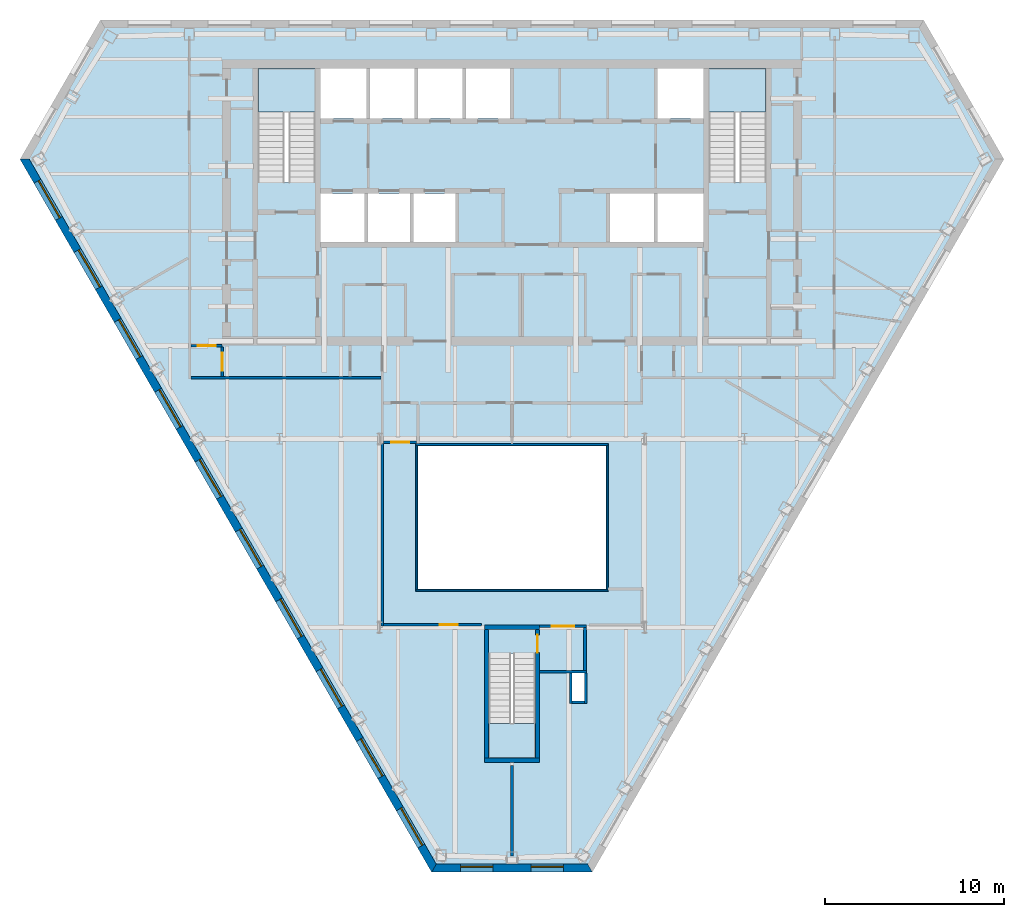
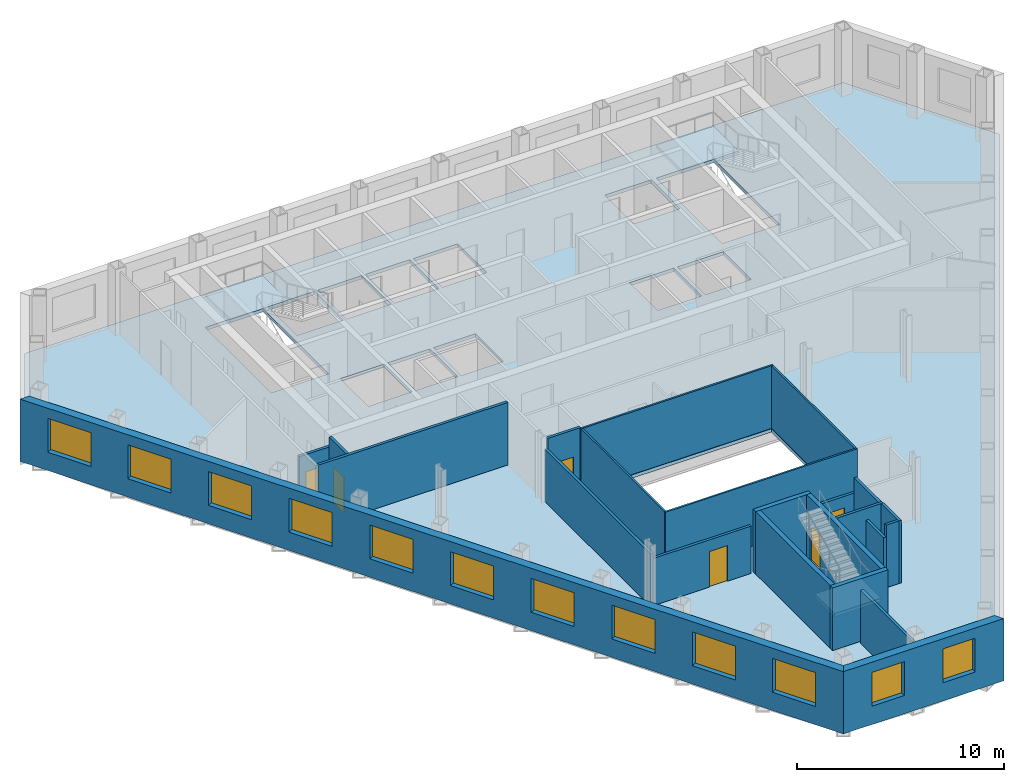
# One storey, part 4 of 11: 23 walls, 12 windows, 6 doors, 4 slabs, 18 openings, 3 elements without a shape of their own.
"""IFC4 building model written with IfcOpenShell, lengths in metres."""

from ifc_helpers import new_model, si_unit, direction, frame, frame_2d, origin, place, context, subcontext, project, spatial, polyline, rectangle, outline, extrude, material, layer, layer_set, type_object, element, fill, aggregate, save


model = new_model("IFC4")

# Units and contexts
model_context = context("Model", 3, precision=1e-05, world=origin(), true_north=direction((0.0, 1.0)))
body_context = subcontext(model_context, "Body", "Model", "MODEL_VIEW")
ifc_project = project(units=[si_unit("LENGTHUNIT", "METRE"), si_unit("AREAUNIT", "SQUARE_METRE"), si_unit("VOLUMEUNIT", "CUBIC_METRE"), si_unit("PLANEANGLEUNIT", "RADIAN"), si_unit("MASSUNIT", "GRAM", prefix="KILO")], contexts=[model_context])

# Site, building, storey
site_placement = place(None, origin())
site = spatial("IfcSite", under=ifc_project, at=site_placement, CompositionType="ELEMENT")
building_placement = place(site_placement, origin())
building = spatial("IfcBuilding", under=site, at=building_placement, Name="Njiva Tower", CompositionType="ELEMENT")
storey_placement = place(building_placement, frame((0.0, 0.0, 139.8)))
storey = spatial("IfcBuildingStorey", under=building, at=storey_placement, Name="L29", CompositionType="ELEMENT", Elevation=139.8)

# Stair, slab
ifc_material_1 = material(Name="Concrete C40/50", Category="concrete")
stair_type_1 = type_object("IfcStairType", Name="ST4 Exit stair 1500", PredefinedType="HALF_TURN_STAIR", material=ifc_material_1)
stair_1_placement = place(storey_placement, origin())
stair_1 = element("IfcStair", 1, at=stair_1_placement, inside=storey, type_object=stair_type_1, Name="Stair A", PredefinedType="HALF_TURN_STAIR")
ifc_layer_1 = layer(ifc_material_1, 0.2)
ifc_layer_set_1 = layer_set([ifc_layer_1], Name="Concrete C40/50")
slab_type_1 = type_object("IfcSlabType", Name="FL9 Stair landing 200", PredefinedType="LANDING", material=ifc_layer_set_1)
slab_1_placement = place(storey_placement, frame((0.0, 0.0, 1.75)))
slab_1 = element("IfcSlab", 2, at=slab_1_placement, type_object=slab_type_1, Name="ST-A landing 1", PredefinedType="LANDING", context=body_context, shape_type="SweptSolid", body=[
    extrude(outline(polyline([(-14.206, 15.06), (-10.994, 15.06), (-10.994, 17.5), (-14.206, 17.5), (-14.206, 15.06)])), origin(), (0.0, 0.0, 1.0), 0.2),
])
aggregate(stair_1, [slab_1])

stair_2_placement = place(storey_placement, origin())
stair_2 = element("IfcStair", 3, at=stair_2_placement, inside=storey, type_object=stair_type_1, Name="Stair B", PredefinedType="HALF_TURN_STAIR")
slab_2_placement = place(storey_placement, frame((0.0, 0.0, 1.75)))
slab_2 = element("IfcSlab", 4, at=slab_2_placement, type_object=slab_type_1, Name="ST-B landing 1", PredefinedType="LANDING", context=body_context, shape_type="SweptSolid", body=[
    extrude(outline(polyline([(10.994, 15.06), (14.206, 15.06), (14.206, 17.5), (10.994, 17.5), (10.994, 15.06)])), origin(), (0.0, 0.0, 1.0), 0.2),
])
aggregate(stair_2, [slab_2])

stair_type_2 = type_object("IfcStairType", Name="ST1 Exit stair 1250", PredefinedType="HALF_TURN_STAIR", material=ifc_material_1)
stair_3_placement = place(storey_placement, origin())
stair_3 = element("IfcStair", 5, at=stair_3_placement, inside=storey, type_object=stair_type_2, Name="Stair C", PredefinedType="HALF_TURN_STAIR")
slab_3_placement = place(storey_placement, frame((0.0, 0.0, 1.75)))
slab_3 = element("IfcSlab", 6, at=slab_3_placement, type_object=slab_type_1, Name="ST-C landing 1", PredefinedType="LANDING", context=body_context, shape_type="SweptSolid", body=[
    extrude(outline(polyline([(-1.306, -21.05), (1.306, -21.05), (1.306, -19.12), (-1.306, -19.12), (-1.306, -21.05)])), origin(), (0.0, 0.0, 1.0), 0.2),
])
aggregate(stair_3, [slab_3])

# Slab
ifc_material_2 = material(Name="Concrete C30/37", Category="concrete")
ifc_layer_2 = layer(ifc_material_2, 0.2)
ifc_layer_set_2 = layer_set([ifc_layer_2], Name="Concrete C30/37")
slab_type_2 = type_object("IfcSlabType", Name="SL16 Composite floor slab 200", PredefinedType="FLOOR", material=ifc_layer_set_2)
slab_4_placement = place(storey_placement, frame((0.0, 0.0, -0.2)))
element("IfcSlab", 7, at=slab_4_placement, inside=storey, type_object=slab_type_2, Name="Floor slab L29", PredefinedType="FLOOR", context=body_context, shape_type="SweptSolid", body=[
    extrude(outline(polyline([(27.2352, 12.4231), (4.3601, -27.1977), (-4.3601, -27.1977), (-27.2352, 12.4231), (-22.8751, 19.975), (22.8751, 19.975), (27.2352, 12.4231)]), holes=[polyline([(10.994, 11.13), (14.206, 11.13), (14.206, 17.5), (10.994, 17.5), (10.994, 11.13)]), polyline([(8.125, 14.7), (10.7, 14.7), (10.7, 17.5), (8.125, 17.5), (8.125, 14.7)]), polyline([(8.1333, 7.8), (10.7, 7.8), (10.7, 10.5), (8.1333, 10.5), (8.1333, 7.8)]), polyline([(5.4667, 7.8), (7.9333, 7.8), (7.9333, 10.5), (5.4667, 10.5), (5.4667, 7.8)]), polyline([(5.25, -11.6), (5.25, -3.6), (-5.25, -3.6), (-5.25, -11.6), (5.25, -11.6)]), polyline([(3.35, -17.85), (4.05, -17.85), (4.05, -16.3), (3.35, -16.3), (3.35, -17.85)]), polyline([(-1.306, -21.05), (1.306, -21.05), (1.306, -15.19), (-1.306, -15.19), (-1.306, -21.05)]), polyline([(-2.575, 14.7), (-0.1, 14.7), (-0.1, 17.5), (-2.575, 17.5), (-2.575, 14.7)]), polyline([(-5.25, 14.7), (-2.775, 14.7), (-2.775, 17.5), (-5.25, 17.5), (-5.25, 14.7)]), polyline([(-5.5, 7.8), (-3.15, 7.8), (-3.15, 10.5), (-5.5, 10.5), (-5.5, 7.8)]), polyline([(-7.925, 14.7), (-5.45, 14.7), (-5.45, 17.5), (-7.925, 17.5), (-7.925, 14.7)]), polyline([(-8.05, 7.8), (-5.7, 7.8), (-5.7, 10.5), (-8.05, 10.5), (-8.05, 7.8)]), polyline([(-10.7, 14.7), (-8.125, 14.7), (-8.125, 17.5), (-10.7, 17.5), (-10.7, 14.7)]), polyline([(-8.25, 7.8), (-8.25, 10.5), (-10.7, 10.5), (-10.7, 7.8), (-8.25, 7.8)]), polyline([(-14.206, 11.13), (-10.994, 11.13), (-10.994, 17.5), (-14.206, 17.5), (-14.206, 11.13)])]), origin(), (0.0, 0.0, 1.0), 0.2),
])

# Wall
ifc_material_3 = material(Name="Gypsum board on steel studs", Category="gypsum")
ifc_layer_3 = layer(ifc_material_3, 0.15)
ifc_layer_set_3 = layer_set([ifc_layer_3], Name="Gypsum board on steel studs")
wall_type_1 = type_object("IfcWallType", Name="WT21 Compartment wall 150", PredefinedType="PARTITIONING", material=ifc_layer_set_3)
wall_1_placement = place(storey_placement, frame((-17.925, 0.2, 0.0), z_axis=(0.0, 0.0, 1.0), x_axis=(1.0, 0.0, 0.0)))
element("IfcWall", 8, at=wall_1_placement, inside=storey, type_object=wall_type_1, Name="Partition S10-P006", PredefinedType="PARTITIONING", context=body_context, shape_type="SweptSolid", body=[
    extrude(rectangle(XDim=10.6, YDim=0.15, at=frame_2d((5.3, 0.0))), origin(), (0.0, 0.0, 1.0), 3.7),
])

# Wall, opening, door
wall_2_placement = place(storey_placement, frame((-17.925, 2.0, 0.0), z_axis=(0.0, 0.0, 1.0), x_axis=(1.0, 0.0, 0.0)))
wall_2 = element("IfcWall", 9, at=wall_2_placement, inside=storey, type_object=wall_type_1, Name="Partition S10-P007", PredefinedType="PARTITIONING", context=body_context, shape_type="SweptSolid", body=[
    extrude(rectangle(XDim=1.725, YDim=0.15, at=frame_2d((0.8625, 0.0))), origin(), (0.0, 0.0, 1.0), 3.11),
])
opening_1_placement = place(wall_2_placement, frame((0.363, 0.0, 0.0)))
opening_1 = element("IfcOpeningElement", 10, at=opening_1_placement, cuts=wall_2, Name="Opening S10-D003", PredefinedType="OPENING", context=body_context, shape_type="SweptSolid", body=[
    extrude(rectangle(XDim=1.0, YDim=2.1, at=frame_2d((0.5, 1.05))), frame((0.0, 0.085, 0.0), z_axis=(0.0, -1.0, 0.0), x_axis=(1.0, 0.0, 0.0)), (0.0, 0.0, 1.0), 0.17),
])
ifc_material_4 = material(Name="Steel fire door set", Category="steel")
door_type_1 = type_object("IfcDoorType", Name="D37 Fire door 1000x2100", OperationType="SINGLE_SWING_LEFT", PredefinedType="DOOR", material=ifc_material_4)
door_1_placement = place(opening_1_placement, origin())
door_1 = element("IfcDoor", 11, at=door_1_placement, inside=storey, type_object=door_type_1, Name="Door S10-D003", OperationType="SINGLE_SWING_LEFT", OverallHeight=2.1, OverallWidth=1.0, PredefinedType="DOOR", context=body_context, shape_type="SweptSolid", body=[
    extrude(rectangle(XDim=1.0, YDim=2.1, at=frame_2d((0.5, 1.05))), frame((0.0, 0.025, 0.0), z_axis=(0.0, -1.0, 0.0), x_axis=(1.0, 0.0, 0.0)), (0.0, 0.0, 1.0), 0.05),
])
fill(opening_1, door_1)

wall_3_placement = place(storey_placement, frame((-16.2, 0.275, 0.0), z_axis=(0.0, 0.0, 1.0), x_axis=(0.0, 1.0, 0.0)))
wall_3 = element("IfcWall", 12, at=wall_3_placement, inside=storey, type_object=wall_type_1, Name="Partition S10-P008", PredefinedType="PARTITIONING", context=body_context, shape_type="SweptSolid", body=[
    extrude(rectangle(XDim=1.65, YDim=0.15, at=frame_2d((0.825, 0.0))), origin(), (0.0, 0.0, 1.0), 3.7),
])
opening_2_placement = place(wall_3_placement, frame((0.325, 0.0, 0.0)))
opening_2 = element("IfcOpeningElement", 13, at=opening_2_placement, cuts=wall_3, Name="Opening S10-D004", PredefinedType="OPENING", context=body_context, shape_type="SweptSolid", body=[
    extrude(rectangle(XDim=1.0, YDim=2.1, at=frame_2d((0.5, 1.05))), frame((0.0, 0.085, 0.0), z_axis=(0.0, -1.0, 0.0), x_axis=(1.0, 0.0, 0.0)), (0.0, 0.0, 1.0), 0.17),
])
door_2_placement = place(opening_2_placement, origin())
door_2 = element("IfcDoor", 14, at=door_2_placement, inside=storey, type_object=door_type_1, Name="Door S10-D004", OperationType="SINGLE_SWING_RIGHT", OverallHeight=2.1, OverallWidth=1.0, PredefinedType="DOOR", context=body_context, shape_type="SweptSolid", body=[
    extrude(rectangle(XDim=1.0, YDim=2.1, at=frame_2d((0.5, 1.05))), frame((0.0, 0.025, 0.0), z_axis=(0.0, -1.0, 0.0), x_axis=(1.0, 0.0, 0.0)), (0.0, 0.0, 1.0), 0.05),
])
fill(opening_2, door_2)

# Wall
wall_4_placement = place(storey_placement, frame((-7.25, -13.675, 0.0), z_axis=(0.0, 0.0, 1.0), x_axis=(0.0, 1.0, 0.0)))
element("IfcWall", 15, at=wall_4_placement, inside=storey, type_object=wall_type_1, Name="Partition S10-P010", PredefinedType="PARTITIONING", context=body_context, shape_type="SweptSolid", body=[
    extrude(rectangle(XDim=10.215, YDim=0.15, at=frame_2d((5.1075, 0.0))), origin(), (0.0, 0.0, 1.0), 3.11),
])

# Wall, opening, door
wall_5_placement = place(storey_placement, frame((-7.175, -13.6, 0.0), z_axis=(0.0, 0.0, 1.0), x_axis=(1.0, 0.0, 0.0)))
wall_5 = element("IfcWall", 16, at=wall_5_placement, inside=storey, type_object=wall_type_1, Name="Partition S10-P011", PredefinedType="PARTITIONING", context=body_context, shape_type="SweptSolid", body=[
    extrude(rectangle(XDim=5.475, YDim=0.15, at=frame_2d((2.7375, 0.0))), origin(), (0.0, 0.0, 1.0), 2.79),
])
opening_3_placement = place(wall_5_placement, frame((3.143, 0.0, 0.0)))
opening_3 = element("IfcOpeningElement", 17, at=opening_3_placement, cuts=wall_5, Name="Opening S10-D007", PredefinedType="OPENING", context=body_context, shape_type="SweptSolid", body=[
    extrude(rectangle(XDim=1.0, YDim=2.1, at=frame_2d((0.5, 1.05))), frame((0.0, 0.085, 0.0), z_axis=(0.0, -1.0, 0.0), x_axis=(1.0, 0.0, 0.0)), (0.0, 0.0, 1.0), 0.17),
])
door_3_placement = place(opening_3_placement, origin())
door_3 = element("IfcDoor", 18, at=door_3_placement, inside=storey, type_object=door_type_1, Name="Door S10-D007", OperationType="SINGLE_SWING_RIGHT", OverallHeight=2.1, OverallWidth=1.0, PredefinedType="DOOR", context=body_context, shape_type="SweptSolid", body=[
    extrude(rectangle(XDim=1.0, YDim=2.1, at=frame_2d((0.5, 1.05))), frame((0.0, 0.025, 0.0), z_axis=(0.0, -1.0, 0.0), x_axis=(1.0, 0.0, 0.0)), (0.0, 0.0, 1.0), 0.05),
])
fill(opening_3, door_3)

wall_6_placement = place(storey_placement, frame((-7.175, -3.4, 0.0), z_axis=(0.0, 0.0, 1.0), x_axis=(1.0, 0.0, 0.0)))
wall_6 = element("IfcWall", 19, at=wall_6_placement, inside=storey, type_object=wall_type_1, Name="Partition S10-P012", PredefinedType="PARTITIONING", context=body_context, shape_type="SweptSolid", body=[
    extrude(rectangle(XDim=1.85, YDim=0.15, at=frame_2d((0.925, 0.0))), origin(), (0.0, 0.0, 1.0), 3.7),
])
opening_4_placement = place(wall_6_placement, frame((0.425, 0.0, 0.0)))
opening_4 = element("IfcOpeningElement", 20, at=opening_4_placement, cuts=wall_6, Name="Opening S10-D008", PredefinedType="OPENING", context=body_context, shape_type="SweptSolid", body=[
    extrude(rectangle(XDim=1.0, YDim=2.1, at=frame_2d((0.5, 1.05))), frame((0.0, 0.085, 0.0), z_axis=(0.0, -1.0, 0.0), x_axis=(1.0, 0.0, 0.0)), (0.0, 0.0, 1.0), 0.17),
])
door_4_placement = place(opening_4_placement, origin())
door_4 = element("IfcDoor", 21, at=door_4_placement, inside=storey, type_object=door_type_1, Name="Door S10-D008", OperationType="SINGLE_SWING_LEFT", OverallHeight=2.1, OverallWidth=1.0, PredefinedType="DOOR", context=body_context, shape_type="SweptSolid", body=[
    extrude(rectangle(XDim=1.0, YDim=2.1, at=frame_2d((0.5, 1.05))), frame((0.0, 0.025, 0.0), z_axis=(0.0, -1.0, 0.0), x_axis=(1.0, 0.0, 0.0)), (0.0, 0.0, 1.0), 0.05),
])
fill(opening_4, door_4)

# Walls
wall_7_placement = place(storey_placement, frame((0.0, -26.523, 0.0), z_axis=(0.0, 0.0, 1.0), x_axis=(0.0, 1.0, 0.0)))
element("IfcWall", 22, at=wall_7_placement, inside=storey, type_object=wall_type_1, Name="Partition S10-P016", PredefinedType="PARTITIONING", context=body_context, shape_type="SweptSolid", body=[
    extrude(rectangle(XDim=5.073, YDim=0.15, at=frame_2d((2.5365, 0.0))), origin(), (0.0, 0.0, 1.0), 3.15),
])
ifc_material_5 = material(Name="Blockwork", Category="masonry")
ifc_layer_4 = layer(ifc_material_5, 0.15)
ifc_layer_set_4 = layer_set([ifc_layer_4], Name="Blockwork")
wall_type_2 = type_object("IfcWallType", Name="WT4 Stair partition 150", PredefinedType="PARTITIONING", material=ifc_layer_set_4)
wall_8_placement = place(storey_placement, frame((1.55, -16.225, 0.0), z_axis=(0.0, 0.0, 1.0), x_axis=(1.0, 0.0, 0.0)))
element("IfcWall", 23, at=wall_8_placement, inside=storey, type_object=wall_type_2, Name="Stair C vestibule wall south", PredefinedType="PARTITIONING", context=body_context, shape_type="SweptSolid", body=[
    extrude(rectangle(XDim=2.6, YDim=0.15, at=frame_2d((1.3, 0.0))), origin(), (0.0, 0.0, 1.0), 3.7),
])
wall_9_placement = place(storey_placement, frame((4.075, -16.15, 0.0), z_axis=(0.0, 0.0, 1.0), x_axis=(0.0, 1.0, 0.0)))
element("IfcWall", 24, at=wall_9_placement, inside=storey, type_object=wall_type_2, Name="Stair C vestibule wall east", PredefinedType="PARTITIONING", context=body_context, shape_type="SweptSolid", body=[
    extrude(rectangle(XDim=2.4, YDim=0.15, at=frame_2d((1.2, 0.0))), origin(), (0.0, 0.0, 1.0), 3.7),
])

# Wall, opening, door
wall_10_placement = place(storey_placement, frame((1.55, -13.675, 0.0), z_axis=(0.0, 0.0, 1.0), x_axis=(1.0, 0.0, 0.0)))
wall_10 = element("IfcWall", 25, at=wall_10_placement, inside=storey, type_object=wall_type_2, Name="Stair C vestibule wall north", PredefinedType="PARTITIONING", context=body_context, shape_type="SweptSolid", body=[
    extrude(rectangle(XDim=2.6, YDim=0.15, at=frame_2d((1.3, 0.0))), origin(), (0.0, 0.0, 1.0), 2.79),
])
opening_5_placement = place(wall_10_placement, frame((0.675, 0.0, 0.0)))
opening_5 = element("IfcOpeningElement", 26, at=opening_5_placement, cuts=wall_10, Name="Opening S10-D942", PredefinedType="OPENING", context=body_context, shape_type="SweptSolid", body=[
    extrude(rectangle(XDim=1.25, YDim=2.1, at=frame_2d((0.625, 1.05))), frame((0.0, 0.085, 0.0), z_axis=(0.0, -1.0, 0.0), x_axis=(1.0, 0.0, 0.0)), (0.0, 0.0, 1.0), 0.17),
])
ifc_material_6 = material(Name="Glazed steel fire door", Category="steel")
door_type_2 = type_object("IfcDoorType", Name="D8 Vestibule corridor door 1250x2100 glazed", OperationType="SINGLE_SWING_LEFT", PredefinedType="DOOR", material=ifc_material_6)
door_5_placement = place(opening_5_placement, origin())
door_5 = element("IfcDoor", 27, at=door_5_placement, inside=storey, type_object=door_type_2, Name="Stair vestibule corridor door", OperationType="SINGLE_SWING_RIGHT", OverallHeight=2.1, OverallWidth=1.25, PredefinedType="DOOR", context=body_context, shape_type="SweptSolid", body=[
    extrude(rectangle(XDim=1.25, YDim=2.1, at=frame_2d((0.625, 1.05))), frame((0.0, 0.025, 0.0), z_axis=(0.0, -1.0, 0.0), x_axis=(1.0, 0.0, 0.0)), (0.0, 0.0, 1.0), 0.05),
])
fill(opening_5, door_5)

# Walls
wall_11_placement = place(storey_placement, frame((3.275, -18.0, 0.0), z_axis=(0.0, 0.0, 1.0), x_axis=(0.0, 1.0, 0.0)))
element("IfcWall", 28, at=wall_11_placement, inside=storey, type_object=wall_type_2, Name="Stair C pressurisation shaft wall", PredefinedType="PARTITIONING", context=body_context, shape_type="SweptSolid", body=[
    extrude(rectangle(XDim=1.7, YDim=0.15, at=frame_2d((0.85, 0.0))), origin(), (0.0, 0.0, 1.0), 3.01),
])
wall_12_placement = place(storey_placement, frame((3.35, -17.925, 0.0), z_axis=(0.0, 0.0, 1.0), x_axis=(1.0, 0.0, 0.0)))
element("IfcWall", 29, at=wall_12_placement, inside=storey, type_object=wall_type_2, Name="Stair C pressurisation shaft wall", PredefinedType="PARTITIONING", context=body_context, shape_type="SweptSolid", body=[
    extrude(rectangle(XDim=0.7, YDim=0.15, at=frame_2d((0.35, 0.0))), origin(), (0.0, 0.0, 1.0), 3.7),
])
wall_13_placement = place(storey_placement, frame((4.125, -18.0, 0.0), z_axis=(0.0, 0.0, 1.0), x_axis=(0.0, 1.0, 0.0)))
element("IfcWall", 30, at=wall_13_placement, inside=storey, type_object=wall_type_2, Name="Stair C pressurisation shaft wall", PredefinedType="PARTITIONING", context=body_context, shape_type="SweptSolid", body=[
    extrude(rectangle(XDim=1.7, YDim=0.15, at=frame_2d((0.85, 0.0))), origin(), (0.0, 0.0, 1.0), 3.7),
])
ifc_layer_5 = layer(ifc_material_1, 0.25)
ifc_layer_set_5 = layer_set([ifc_layer_5], Name="Concrete C40/50")
wall_type_3 = type_object("IfcWallType", Name="WT9 Stair enclosure wall 250", PredefinedType="SHEAR", material=ifc_layer_set_5)
wall_14_placement = place(storey_placement, frame((-1.425, -21.05, 0.0), z_axis=(0.0, 0.0, 1.0), x_axis=(0.0, 1.0, 0.0)))
element("IfcWall", 31, at=wall_14_placement, inside=storey, type_object=wall_type_3, Name="Stair C wall west", PredefinedType="SHEAR", context=body_context, shape_type="SweptSolid", body=[
    extrude(rectangle(XDim=7.2, YDim=0.25, at=frame_2d((3.6, 0.0))), origin(), (0.0, 0.0, 1.0), 3.7),
])

# Wall, opening, door
wall_15_placement = place(storey_placement, frame((1.425, -21.05, 0.0), z_axis=(0.0, 0.0, 1.0), x_axis=(0.0, 1.0, 0.0)))
wall_15 = element("IfcWall", 32, at=wall_15_placement, inside=storey, type_object=wall_type_3, Name="Stair C wall east", PredefinedType="SHEAR", context=body_context, shape_type="SweptSolid", body=[
    extrude(rectangle(XDim=7.2, YDim=0.25, at=frame_2d((3.6, 0.0))), origin(), (0.0, 0.0, 1.0), 3.7),
])
opening_6_placement = place(wall_15_placement, frame((5.89, 0.0, 0.0)))
opening_6 = element("IfcOpeningElement", 33, at=opening_6_placement, cuts=wall_15, Name="Opening S10-D941", PredefinedType="OPENING", context=body_context, shape_type="SweptSolid", body=[
    extrude(rectangle(XDim=1.0, YDim=2.1, at=frame_2d((0.5, 1.05))), frame((0.0, 0.135, 0.0), z_axis=(0.0, -1.0, 0.0), x_axis=(1.0, 0.0, 0.0)), (0.0, 0.0, 1.0), 0.27),
])
door_type_3 = type_object("IfcDoorType", Name="D9 Stair vestibule door 1000x2100 glazed", OperationType="SINGLE_SWING_LEFT", PredefinedType="DOOR", material=ifc_material_6)
door_6_placement = place(opening_6_placement, origin())
door_6 = element("IfcDoor", 34, at=door_6_placement, inside=storey, type_object=door_type_3, Name="Stair C door", OperationType="SINGLE_SWING_LEFT", OverallHeight=2.1, OverallWidth=1.0, PredefinedType="DOOR", context=body_context, shape_type="SweptSolid", body=[
    extrude(rectangle(XDim=1.0, YDim=2.1, at=frame_2d((0.5, 1.05))), frame((0.0, 0.025, 0.0), z_axis=(0.0, -1.0, 0.0), x_axis=(1.0, 0.0, 0.0)), (0.0, 0.0, 1.0), 0.05),
])
fill(opening_6, door_6)

# Walls
for number, where, z_axis, x_axis, name in (
    (35, (-1.55, -21.175, 0.0), (0.0, 0.0, 1.0), (1.0, 0.0, 0.0), "Stair C wall south"),
    (36, (-1.55, -13.725, 0.0), (0.0, 0.0, 1.0), (1.0, 0.0, 0.0), "Stair C wall north"),
):
    element("IfcWall", number, at=place(storey_placement, frame(where, z_axis=z_axis, x_axis=x_axis)), inside=storey, type_object=wall_type_3, Name=name, PredefinedType="SHEAR", context=body_context, shape_type="SweptSolid", body=[
        extrude(rectangle(XDim=3.1, YDim=0.25, at=frame_2d((1.55, 0.0))), origin(), (0.0, 0.0, 1.0), 3.7),
    ])

# Wall, openings, windows
ifc_material_7 = material(Name="Brick masonry", Category="masonry")
ifc_layer_6 = layer(ifc_material_7, 0.45)
ifc_layer_set_6 = layer_set([ifc_layer_6], Name="Brick masonry")
wall_type_4 = type_object("IfcWallType", Name="WT90 Brick pier and spandrel wall 450", PredefinedType="SOLIDWALL", material=ifc_layer_set_6)
wall_16_placement = place(storey_placement, frame((-27.2352, 12.4231, -0.18), z_axis=(0.0, 0.0, 1.0), x_axis=(0.500000335318, -0.866025210188, 0.0)))
wall_16 = element("IfcWall", 37, at=wall_16_placement, inside=storey, type_object=wall_type_4, Name="Facade wall SW", PredefinedType="SOLIDWALL", context=body_context, shape_type="SweptSolid", body=[
    extrude(outline(polyline([(-0.1299, -0.225), (45.8801, -0.225), (45.6203, 0.225), (0.1299, 0.225), (-0.1299, -0.225)])), origin(), (0.0, 0.0, 1.0), 3.68),
])
opening_7_placement = place(wall_16_placement, frame((1.4247, 0.0, 1.08)))
opening_7 = element("IfcOpeningElement", 38, at=opening_7_placement, cuts=wall_16, Name="Opening S10-W12", PredefinedType="OPENING", context=body_context, shape_type="SweptSolid", body=[
    extrude(rectangle(XDim=2.4, YDim=2.0, at=frame_2d((1.2, 1.0))), frame((0.0, 0.235, 0.0), z_axis=(0.0, -1.0, 0.0), x_axis=(1.0, 0.0, 0.0)), (0.0, 0.0, 1.0), 0.47),
])
opening_8_placement = place(wall_16_placement, frame((5.8949, 0.0, 1.08)))
opening_8 = element("IfcOpeningElement", 39, at=opening_8_placement, cuts=wall_16, Name="Opening S10-W13", PredefinedType="OPENING", context=body_context, shape_type="SweptSolid", body=[
    extrude(rectangle(XDim=2.4, YDim=2.0, at=frame_2d((1.2, 1.0))), frame((0.0, 0.235, 0.0), z_axis=(0.0, -1.0, 0.0), x_axis=(1.0, 0.0, 0.0)), (0.0, 0.0, 1.0), 0.47),
])
opening_9_placement = place(wall_16_placement, frame((10.4035, 0.0, 1.08)))
opening_9 = element("IfcOpeningElement", 40, at=opening_9_placement, cuts=wall_16, Name="Opening S10-W14", PredefinedType="OPENING", context=body_context, shape_type="SweptSolid", body=[
    extrude(rectangle(XDim=2.4, YDim=2.0, at=frame_2d((1.2, 1.0))), frame((0.0, 0.235, 0.0), z_axis=(0.0, -1.0, 0.0), x_axis=(1.0, 0.0, 0.0)), (0.0, 0.0, 1.0), 0.47),
])
opening_10_placement = place(wall_16_placement, frame((14.9122, 0.0, 1.08)))
opening_10 = element("IfcOpeningElement", 41, at=opening_10_placement, cuts=wall_16, Name="Opening S10-W15", PredefinedType="OPENING", context=body_context, shape_type="SweptSolid", body=[
    extrude(rectangle(XDim=2.4, YDim=2.0, at=frame_2d((1.2, 1.0))), frame((0.0, 0.235, 0.0), z_axis=(0.0, -1.0, 0.0), x_axis=(1.0, 0.0, 0.0)), (0.0, 0.0, 1.0), 0.47),
])
opening_11_placement = place(wall_16_placement, frame((19.4208, 0.0, 1.08)))
opening_11 = element("IfcOpeningElement", 42, at=opening_11_placement, cuts=wall_16, Name="Opening S10-W16", PredefinedType="OPENING", context=body_context, shape_type="SweptSolid", body=[
    extrude(rectangle(XDim=2.4, YDim=2.0, at=frame_2d((1.2, 1.0))), frame((0.0, 0.235, 0.0), z_axis=(0.0, -1.0, 0.0), x_axis=(1.0, 0.0, 0.0)), (0.0, 0.0, 1.0), 0.47),
])
opening_12_placement = place(wall_16_placement, frame((23.9294, 0.0, 1.08)))
opening_12 = element("IfcOpeningElement", 43, at=opening_12_placement, cuts=wall_16, Name="Opening S10-W17", PredefinedType="OPENING", context=body_context, shape_type="SweptSolid", body=[
    extrude(rectangle(XDim=2.4, YDim=2.0, at=frame_2d((1.2, 1.0))), frame((0.0, 0.235, 0.0), z_axis=(0.0, -1.0, 0.0), x_axis=(1.0, 0.0, 0.0)), (0.0, 0.0, 1.0), 0.47),
])
opening_13_placement = place(wall_16_placement, frame((28.438, 0.0, 1.08)))
opening_13 = element("IfcOpeningElement", 44, at=opening_13_placement, cuts=wall_16, Name="Opening S10-W18", PredefinedType="OPENING", context=body_context, shape_type="SweptSolid", body=[
    extrude(rectangle(XDim=2.4, YDim=2.0, at=frame_2d((1.2, 1.0))), frame((0.0, 0.235, 0.0), z_axis=(0.0, -1.0, 0.0), x_axis=(1.0, 0.0, 0.0)), (0.0, 0.0, 1.0), 0.47),
])
opening_14_placement = place(wall_16_placement, frame((32.9466, 0.0, 1.08)))
opening_14 = element("IfcOpeningElement", 45, at=opening_14_placement, cuts=wall_16, Name="Opening S10-W19", PredefinedType="OPENING", context=body_context, shape_type="SweptSolid", body=[
    extrude(rectangle(XDim=2.4, YDim=2.0, at=frame_2d((1.2, 1.0))), frame((0.0, 0.235, 0.0), z_axis=(0.0, -1.0, 0.0), x_axis=(1.0, 0.0, 0.0)), (0.0, 0.0, 1.0), 0.47),
])
opening_15_placement = place(wall_16_placement, frame((37.4553, 0.0, 1.08)))
opening_15 = element("IfcOpeningElement", 46, at=opening_15_placement, cuts=wall_16, Name="Opening S10-W20", PredefinedType="OPENING", context=body_context, shape_type="SweptSolid", body=[
    extrude(rectangle(XDim=2.4, YDim=2.0, at=frame_2d((1.2, 1.0))), frame((0.0, 0.235, 0.0), z_axis=(0.0, -1.0, 0.0), x_axis=(1.0, 0.0, 0.0)), (0.0, 0.0, 1.0), 0.47),
])
opening_16_placement = place(wall_16_placement, frame((41.9255, 0.0, 1.08)))
opening_16 = element("IfcOpeningElement", 47, at=opening_16_placement, cuts=wall_16, Name="Opening S10-W21", PredefinedType="OPENING", context=body_context, shape_type="SweptSolid", body=[
    extrude(rectangle(XDim=2.4, YDim=2.0, at=frame_2d((1.2, 1.0))), frame((0.0, 0.235, 0.0), z_axis=(0.0, -1.0, 0.0), x_axis=(1.0, 0.0, 0.0)), (0.0, 0.0, 1.0), 0.47),
])
ifc_material_8 = material(Name="Clear glazing in aluminium frame", Category="aluminium")
window_type_1 = type_object("IfcWindowType", Name="W90 Deep-set window 2400x2000", PartitioningType="SINGLE_PANEL", PredefinedType="WINDOW", material=ifc_material_8)
window_1_placement = place(opening_7_placement, origin())
window_1 = element("IfcWindow", 48, at=window_1_placement, inside=storey, type_object=window_type_1, Name="Window", OverallHeight=2.0, OverallWidth=2.4, PartitioningType="SINGLE_PANEL", PredefinedType="WINDOW", context=body_context, shape_type="SweptSolid", body=[
    extrude(rectangle(XDim=2.4, YDim=2.0, at=frame_2d((1.2, 1.0))), frame((0.0, 0.105, 0.0), z_axis=(0.0, -1.0, 0.0), x_axis=(1.0, 0.0, 0.0)), (0.0, 0.0, 1.0), 0.06),
])
fill(opening_7, window_1)
window_2_placement = place(opening_8_placement, origin())
window_2 = element("IfcWindow", 49, at=window_2_placement, inside=storey, type_object=window_type_1, Name="Window", OverallHeight=2.0, OverallWidth=2.4, PartitioningType="SINGLE_PANEL", PredefinedType="WINDOW", context=body_context, shape_type="SweptSolid", body=[
    extrude(rectangle(XDim=2.4, YDim=2.0, at=frame_2d((1.2, 1.0))), frame((0.0, 0.105, 0.0), z_axis=(0.0, -1.0, 0.0), x_axis=(1.0, 0.0, 0.0)), (0.0, 0.0, 1.0), 0.06),
])
fill(opening_8, window_2)
window_3_placement = place(opening_9_placement, origin())
window_3 = element("IfcWindow", 50, at=window_3_placement, inside=storey, type_object=window_type_1, Name="Window", OverallHeight=2.0, OverallWidth=2.4, PartitioningType="SINGLE_PANEL", PredefinedType="WINDOW", context=body_context, shape_type="SweptSolid", body=[
    extrude(rectangle(XDim=2.4, YDim=2.0, at=frame_2d((1.2, 1.0))), frame((0.0, 0.105, 0.0), z_axis=(0.0, -1.0, 0.0), x_axis=(1.0, 0.0, 0.0)), (0.0, 0.0, 1.0), 0.06),
])
fill(opening_9, window_3)
window_4_placement = place(opening_10_placement, origin())
window_4 = element("IfcWindow", 51, at=window_4_placement, inside=storey, type_object=window_type_1, Name="Window", OverallHeight=2.0, OverallWidth=2.4, PartitioningType="SINGLE_PANEL", PredefinedType="WINDOW", context=body_context, shape_type="SweptSolid", body=[
    extrude(rectangle(XDim=2.4, YDim=2.0, at=frame_2d((1.2, 1.0))), frame((0.0, 0.105, 0.0), z_axis=(0.0, -1.0, 0.0), x_axis=(1.0, 0.0, 0.0)), (0.0, 0.0, 1.0), 0.06),
])
fill(opening_10, window_4)
window_5_placement = place(opening_11_placement, origin())
window_5 = element("IfcWindow", 52, at=window_5_placement, inside=storey, type_object=window_type_1, Name="Window", OverallHeight=2.0, OverallWidth=2.4, PartitioningType="SINGLE_PANEL", PredefinedType="WINDOW", context=body_context, shape_type="SweptSolid", body=[
    extrude(rectangle(XDim=2.4, YDim=2.0, at=frame_2d((1.2, 1.0))), frame((0.0, 0.105, 0.0), z_axis=(0.0, -1.0, 0.0), x_axis=(1.0, 0.0, 0.0)), (0.0, 0.0, 1.0), 0.06),
])
fill(opening_11, window_5)
window_6_placement = place(opening_12_placement, origin())
window_6 = element("IfcWindow", 53, at=window_6_placement, inside=storey, type_object=window_type_1, Name="Window", OverallHeight=2.0, OverallWidth=2.4, PartitioningType="SINGLE_PANEL", PredefinedType="WINDOW", context=body_context, shape_type="SweptSolid", body=[
    extrude(rectangle(XDim=2.4, YDim=2.0, at=frame_2d((1.2, 1.0))), frame((0.0, 0.105, 0.0), z_axis=(0.0, -1.0, 0.0), x_axis=(1.0, 0.0, 0.0)), (0.0, 0.0, 1.0), 0.06),
])
fill(opening_12, window_6)
window_7_placement = place(opening_13_placement, origin())
window_7 = element("IfcWindow", 54, at=window_7_placement, inside=storey, type_object=window_type_1, Name="Window", OverallHeight=2.0, OverallWidth=2.4, PartitioningType="SINGLE_PANEL", PredefinedType="WINDOW", context=body_context, shape_type="SweptSolid", body=[
    extrude(rectangle(XDim=2.4, YDim=2.0, at=frame_2d((1.2, 1.0))), frame((0.0, 0.105, 0.0), z_axis=(0.0, -1.0, 0.0), x_axis=(1.0, 0.0, 0.0)), (0.0, 0.0, 1.0), 0.06),
])
fill(opening_13, window_7)
window_8_placement = place(opening_14_placement, origin())
window_8 = element("IfcWindow", 55, at=window_8_placement, inside=storey, type_object=window_type_1, Name="Window", OverallHeight=2.0, OverallWidth=2.4, PartitioningType="SINGLE_PANEL", PredefinedType="WINDOW", context=body_context, shape_type="SweptSolid", body=[
    extrude(rectangle(XDim=2.4, YDim=2.0, at=frame_2d((1.2, 1.0))), frame((0.0, 0.105, 0.0), z_axis=(0.0, -1.0, 0.0), x_axis=(1.0, 0.0, 0.0)), (0.0, 0.0, 1.0), 0.06),
])
fill(opening_14, window_8)
window_9_placement = place(opening_15_placement, origin())
window_9 = element("IfcWindow", 56, at=window_9_placement, inside=storey, type_object=window_type_1, Name="Window", OverallHeight=2.0, OverallWidth=2.4, PartitioningType="SINGLE_PANEL", PredefinedType="WINDOW", context=body_context, shape_type="SweptSolid", body=[
    extrude(rectangle(XDim=2.4, YDim=2.0, at=frame_2d((1.2, 1.0))), frame((0.0, 0.105, 0.0), z_axis=(0.0, -1.0, 0.0), x_axis=(1.0, 0.0, 0.0)), (0.0, 0.0, 1.0), 0.06),
])
fill(opening_15, window_9)
window_10_placement = place(opening_16_placement, origin())
window_10 = element("IfcWindow", 57, at=window_10_placement, inside=storey, type_object=window_type_1, Name="Window", OverallHeight=2.0, OverallWidth=2.4, PartitioningType="SINGLE_PANEL", PredefinedType="WINDOW", context=body_context, shape_type="SweptSolid", body=[
    extrude(rectangle(XDim=2.4, YDim=2.0, at=frame_2d((1.2, 1.0))), frame((0.0, 0.105, 0.0), z_axis=(0.0, -1.0, 0.0), x_axis=(1.0, 0.0, 0.0)), (0.0, 0.0, 1.0), 0.06),
])
fill(opening_16, window_10)

ifc_material_9 = material(Name="Brick masonry, buff", Category="masonry")
ifc_layer_7 = layer(ifc_material_9, 0.45)
ifc_layer_set_7 = layer_set([ifc_layer_7], Name="Brick masonry, buff")
wall_type_5 = type_object("IfcWallType", Name="WT94 Brick pier and spandrel wall 450, buff", PredefinedType="SOLIDWALL", material=ifc_layer_set_7)
wall_17_placement = place(storey_placement, frame((-4.3601, -27.1977, -0.18), z_axis=(0.0, 0.0, 1.0), x_axis=(1.0, 0.0, 0.0)))
wall_17 = element("IfcWall", 58, at=wall_17_placement, inside=storey, type_object=wall_type_5, Name="Facade wall S", PredefinedType="SOLIDWALL", context=body_context, shape_type="SweptSolid", body=[
    extrude(outline(polyline([(-0.1299, -0.225), (8.8501, -0.225), (8.5903, 0.225), (0.1299, 0.225), (-0.1299, -0.225)])), origin(), (0.0, 0.0, 1.0), 3.68),
])
opening_17_placement = place(wall_17_placement, frame((1.4844, 0.0, 1.08)))
opening_17 = element("IfcOpeningElement", 59, at=opening_17_placement, cuts=wall_17, Name="Opening S10-W22", PredefinedType="OPENING", context=body_context, shape_type="SweptSolid", body=[
    extrude(rectangle(XDim=1.8, YDim=2.0, at=frame_2d((0.9, 1.0))), frame((0.0, 0.235, 0.0), z_axis=(0.0, -1.0, 0.0), x_axis=(1.0, 0.0, 0.0)), (0.0, 0.0, 1.0), 0.47),
])
opening_18_placement = place(wall_17_placement, frame((5.4357, 0.0, 1.08)))
opening_18 = element("IfcOpeningElement", 60, at=opening_18_placement, cuts=wall_17, Name="Opening S10-W23", PredefinedType="OPENING", context=body_context, shape_type="SweptSolid", body=[
    extrude(rectangle(XDim=1.8, YDim=2.0, at=frame_2d((0.9, 1.0))), frame((0.0, 0.235, 0.0), z_axis=(0.0, -1.0, 0.0), x_axis=(1.0, 0.0, 0.0)), (0.0, 0.0, 1.0), 0.47),
])
window_type_2 = type_object("IfcWindowType", Name="W94 Deep-set window 1800x2000", PartitioningType="SINGLE_PANEL", PredefinedType="WINDOW", material=ifc_material_8)
window_11_placement = place(opening_17_placement, origin())
window_11 = element("IfcWindow", 61, at=window_11_placement, inside=storey, type_object=window_type_2, Name="Window", OverallHeight=2.0, OverallWidth=1.8, PartitioningType="SINGLE_PANEL", PredefinedType="WINDOW", context=body_context, shape_type="SweptSolid", body=[
    extrude(rectangle(XDim=1.8, YDim=2.0, at=frame_2d((0.9, 1.0))), frame((0.0, 0.105, 0.0), z_axis=(0.0, -1.0, 0.0), x_axis=(1.0, 0.0, 0.0)), (0.0, 0.0, 1.0), 0.06),
])
fill(opening_17, window_11)
window_12_placement = place(opening_18_placement, origin())
window_12 = element("IfcWindow", 62, at=window_12_placement, inside=storey, type_object=window_type_2, Name="Window", OverallHeight=2.0, OverallWidth=1.8, PartitioningType="SINGLE_PANEL", PredefinedType="WINDOW", context=body_context, shape_type="SweptSolid", body=[
    extrude(rectangle(XDim=1.8, YDim=2.0, at=frame_2d((0.9, 1.0))), frame((0.0, 0.105, 0.0), z_axis=(0.0, -1.0, 0.0), x_axis=(1.0, 0.0, 0.0)), (0.0, 0.0, 1.0), 0.06),
])
fill(opening_18, window_12)

# Walls
ifc_material_10 = material(Name="Fire-resisting glazing EI 90", Category="glass")
ifc_layer_8 = layer(ifc_material_10, 0.1)
ifc_layer_set_8 = layer_set([ifc_layer_8], Name="Fire-resisting glazing EI 90")
wall_type_6 = type_object("IfcWallType", Name="WT95 Fire-resisting glazed screen EI 90", PredefinedType="PARTITIONING", material=ifc_layer_set_8)
wall_18_placement = place(storey_placement, frame((-5.37, -11.67, 0.0), z_axis=(0.0, 0.0, 1.0), x_axis=(1.0, 0.0, 0.0)))
element("IfcWall", 63, at=wall_18_placement, inside=storey, type_object=wall_type_6, Name="Atrium fire screen south", PredefinedType="PARTITIONING", context=body_context, shape_type="SweptSolid", body=[
    extrude(rectangle(XDim=10.74, YDim=0.1, at=frame_2d((5.37, 0.0))), origin(), (0.0, 0.0, 1.0), 3.7),
])
wall_19_placement = place(storey_placement, frame((5.32, -11.62, 0.0), z_axis=(0.0, 0.0, 1.0), x_axis=(0.0, 1.0, 0.0)))
element("IfcWall", 64, at=wall_19_placement, inside=storey, type_object=wall_type_6, Name="Atrium fire screen east", PredefinedType="PARTITIONING", context=body_context, shape_type="SweptSolid", body=[
    extrude(rectangle(XDim=8.04, YDim=0.1, at=frame_2d((4.02, 0.0))), origin(), (0.0, 0.0, 1.0), 3.7),
])
wall_20_placement = place(storey_placement, frame((5.37, -3.53, 0.0), z_axis=(0.0, 0.0, 1.0), x_axis=(-1.0, 0.0, 0.0)))
element("IfcWall", 65, at=wall_20_placement, inside=storey, type_object=wall_type_6, Name="Atrium fire screen north", PredefinedType="PARTITIONING", context=body_context, shape_type="SweptSolid", body=[
    extrude(rectangle(XDim=10.74, YDim=0.1, at=frame_2d((5.37, 0.0))), origin(), (0.0, 0.0, 1.0), 3.7),
])
wall_21_placement = place(storey_placement, frame((-5.32, -3.58, 0.0), z_axis=(0.0, 0.0, 1.0), x_axis=(0.0, -1.0, 0.0)))
element("IfcWall", 66, at=wall_21_placement, inside=storey, type_object=wall_type_6, Name="Atrium fire screen west", PredefinedType="PARTITIONING", context=body_context, shape_type="SweptSolid", body=[
    extrude(rectangle(XDim=8.04, YDim=0.1, at=frame_2d((4.02, 0.0))), origin(), (0.0, 0.0, 1.0), 3.7),
])

save(model, "model.ifc")
